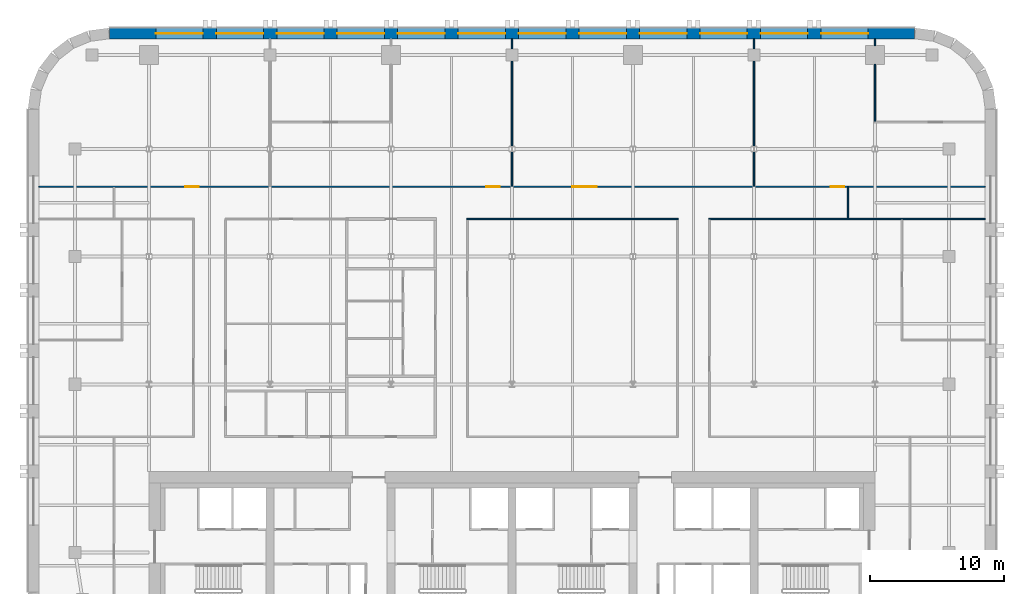
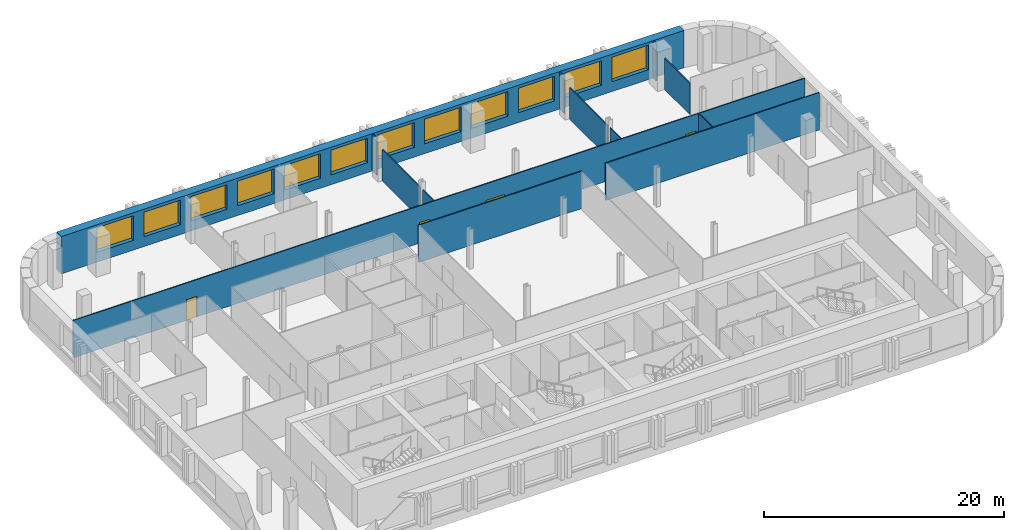
# One storey, part 7 of 10: 13 walls, 12 windows, 4 doors, 16 openings.
"""IFC4 building model written with IfcOpenShell, lengths in metres."""

import ifcopenshell
import ifcopenshell.guid

model = None  # the IFC model being written
_history = None  # IfcOwnerHistory: only IFC2X3 demands one
_inside = {}  # id of a spatial element -> (the spatial element, [elements in it])
_under = {}  # id of a project, library or spatial element -> (it, [spatial elements below it])
_declared = {}  # id of a project -> (the project, [libraries it declares])
_typed = {}  # id of a type object -> (the type object, [elements of that type])
_made_of = {}  # id of a material, layer set ... -> (it, [elements and type objects made of it])


def new_model(schema):
    """Start an empty IFC model of exactly this schema.

    Asked for "IFC4X3", IfcOpenShell would pick the latest addendum, in which some entities
    have other attributes; the version numbers below select the first issue.
    IFC2X3 requires an IfcOwnerHistory on every rooted entity: one is made here for all.
    """
    global model, _history
    if schema == "IFC4X3":
        model = ifcopenshell.file(schema_version=(4, 3, 0, 0))
    else:
        model = ifcopenshell.file(schema=schema)
    _inside.clear()
    _under.clear()
    _declared.clear()
    _typed.clear()
    _made_of.clear()
    _history = None
    if model.schema == "IFC2X3":
        org = make("IfcOrganization", Name="unknown")
        user = make(
            "IfcPersonAndOrganization",
            ThePerson=make("IfcPerson", FamilyName="unknown"),
            TheOrganization=org,
        )
        app = make(
            "IfcApplication",
            ApplicationDeveloper=org,
            Version="unknown",
            ApplicationFullName="unknown",
            ApplicationIdentifier="unknown",
        )
        _history = make(
            "IfcOwnerHistory",
            OwningUser=user,
            OwningApplication=app,
            ChangeAction="ADDED",
            CreationDate=0,
        )
    return model


def make(cls, **values):
    """One entity of the class cls with the attributes given. An attribute that is None is left unset."""
    return model.create_entity(
        cls, **{name: value for name, value in values.items() if value is not None}
    )


def rooted(cls, **values):
    """An entity with a GlobalId (a new one), such as an element, a storey or a relation."""
    return make(cls, GlobalId=ifcopenshell.guid.new(), OwnerHistory=_history, **values)


def si_unit(unit_type, name, prefix=None):
    """IfcSIUnit, for example si_unit("LENGTHUNIT", "METRE", prefix="MILLI")."""
    return make("IfcSIUnit", UnitType=unit_type, Prefix=prefix, Name=name)


def assignment(units):
    """IfcUnitAssignment: the units of a project."""
    return None if units is None else make("IfcUnitAssignment", Units=units)


def point(xyz):
    """IfcCartesianPoint."""
    return None if xyz is None else make("IfcCartesianPoint", Coordinates=xyz)


def direction(xyz):
    """IfcDirection."""
    return None if xyz is None else make("IfcDirection", DirectionRatios=xyz)


def frame(location, z_axis=None, x_axis=None):
    """IfcAxis2Placement3D, a coordinate frame: its origin and axes. An axis left out is left unset."""
    return make(
        "IfcAxis2Placement3D",
        Location=point(location),
        Axis=direction(z_axis),
        RefDirection=direction(x_axis),
    )


def frame_2d(location, x_axis=None):
    """IfcAxis2Placement2D, a coordinate frame in the plane: its origin and x axis."""
    return make(
        "IfcAxis2Placement2D", Location=point(location), RefDirection=direction(x_axis)
    )


def origin():
    """The frame at (0, 0, 0) with its axes left unset."""
    return frame((0.0, 0.0, 0.0))


def place(relative_to, where):
    """IfcLocalPlacement: puts the frame where relative to a parent placement (None: the world)."""
    return make(
        "IfcLocalPlacement", PlacementRelTo=relative_to, RelativePlacement=where
    )


def context(
    kind, dimensions, precision=None, world=None, true_north=None, identifier=None
):
    """IfcGeometricRepresentationContext, for example the 3D "Model" context."""
    return make(
        "IfcGeometricRepresentationContext",
        ContextIdentifier=identifier,
        ContextType=kind,
        CoordinateSpaceDimension=dimensions,
        Precision=precision,
        WorldCoordinateSystem=world,
        TrueNorth=true_north,
    )


def subcontext(parent, identifier, kind, view, scale=None):
    """IfcGeometricRepresentationSubContext, for example "Body" below "Model"."""
    return make(
        "IfcGeometricRepresentationSubContext",
        ContextIdentifier=identifier,
        ContextType=kind,
        ParentContext=parent,
        TargetScale=scale,
        TargetView=view,
    )


def project(units=None, contexts=None):
    """IfcProject with its units and contexts."""
    return rooted(
        "IfcProject",
        Name="project",
        RepresentationContexts=contexts,
        UnitsInContext=assignment(units),
    )


def spatial(cls, under=None, at=None, **own):
    """A site, building, storey or space (cls), placed at a placement, below another one or the project."""
    s = rooted(cls, ObjectPlacement=at, **own)
    if under is not None:
        _under.setdefault(under.id(), (under, []))[1].append(s)
    return s


def profile(cls, at=None, kind="AREA", **sizes):
    """A parametric profile (cls). Its sizes go by their IFC names, for example OverallWidth=200.0."""
    return make(cls, ProfileType=kind, Position=at, **sizes)


def rectangle(**sizes):
    """IfcRectangleProfileDef."""
    return profile("IfcRectangleProfileDef", **sizes)


def extrude(swept, where, along, depth):
    """IfcExtrudedAreaSolid: the profile swept, set in the frame where, extruded along a direction by depth."""
    return make(
        "IfcExtrudedAreaSolid",
        SweptArea=swept,
        Position=where,
        ExtrudedDirection=direction(along),
        Depth=depth,
    )


def shape(context_of_items, identifier, shape_type, items):
    """IfcShapeRepresentation: the items that make up one representation, for example the "Body"."""
    return make(
        "IfcShapeRepresentation",
        ContextOfItems=context_of_items,
        RepresentationIdentifier=identifier,
        RepresentationType=shape_type,
        Items=items,
    )


def material(Name=None, Category=None):
    """IfcMaterial."""
    return make("IfcMaterial", Name=Name, Category=Category)


def layer(
    of_material, thickness, ventilated=None, Name=None, Category=None, Priority=None
):
    """IfcMaterialLayer: one layer of a wall or slab, of a material (None: an air gap)."""
    return make(
        "IfcMaterialLayer",
        Material=of_material,
        LayerThickness=thickness,
        IsVentilated=ventilated,
        Name=Name,
        Category=Category,
        Priority=Priority,
    )


def layer_set(layers, Name=None):
    """IfcMaterialLayerSet."""
    return make("IfcMaterialLayerSet", MaterialLayers=layers, LayerSetName=Name)


def made_of(thing, what):
    """Note that an element or type object is made of a material, layer set ...; save() writes the relation."""
    if what is not None:
        _made_of.setdefault(what.id(), (what, []))[1].append(thing)
    return thing


def type_object(cls, material=None, **own):
    """A type object (cls), such as IfcWallType, which elements share."""
    return made_of(rooted(cls, **own), material)


def element(
    cls,
    number,
    at=None,
    inside=None,
    cuts=None,
    type_object=None,
    material=None,
    context=None,
    identifier="Body",
    shape_type=None,
    held_by="IfcProductDefinitionShape",
    body=None,
    shapes=None,
    **own,
):
    """One element of the class cls, such as IfcWall. Its Tag is "e" and its number.

    at: its placement. inside: the storey or other place that contains it. cuts: it is an
    opening in that element (IfcRelVoidsElement). A single representation is given by context,
    identifier, shape_type and body (its items); several are given by shapes. held_by: the class
    of the entity that holds the representations. save() writes the other relations.
    """
    e = rooted(cls, Tag="e%d" % number, ObjectPlacement=at, **own)
    if body is not None:
        shapes = [shape(context, identifier, shape_type, body)]
    if shapes is not None:
        e.Representation = make(held_by, Representations=shapes)
    if inside is not None:
        _inside.setdefault(inside.id(), (inside, []))[1].append(e)
    if cuts is not None:
        rooted(
            "IfcRelVoidsElement", RelatingBuildingElement=cuts, RelatedOpeningElement=e
        )
    if type_object is not None:
        _typed.setdefault(type_object.id(), (type_object, []))[1].append(e)
    return made_of(e, material)


def fill(opening, filler):
    """IfcRelFillsElement: the door or window that sits in an opening."""
    return rooted(
        "IfcRelFillsElement",
        RelatingOpeningElement=opening,
        RelatedBuildingElement=filler,
    )


def aggregate(whole, parts):
    """IfcRelAggregates: a whole, such as a stair, and the parts it consists of."""
    return rooted("IfcRelAggregates", RelatingObject=whole, RelatedObjects=parts)


def save(model, path):
    """Write the relations noted so far, then the file.

    IfcRelAggregates (storeys below a building ...), IfcRelContainedInSpatialStructure (elements
    in a storey), IfcRelDefinesByType, IfcRelAssociatesMaterial and IfcRelDeclares: one each for
    every whole, place, type object, material and project.
    """
    for whole, parts in _under.values():
        aggregate(whole, parts)
    for where, things in _inside.values():
        rooted(
            "IfcRelContainedInSpatialStructure",
            RelatedElements=things,
            RelatingStructure=where,
        )
    for kind, things in _typed.values():
        rooted("IfcRelDefinesByType", RelatedObjects=things, RelatingType=kind)
    for what, things in _made_of.values():
        rooted("IfcRelAssociatesMaterial", RelatedObjects=things, RelatingMaterial=what)
    for by, libraries in _declared.values():
        rooted("IfcRelDeclares", RelatingContext=by, RelatedDefinitions=libraries)
    model.write(path)


model = new_model("IFC4")

# Units and contexts
model_context = context("Model", 3, precision=1e-05, world=origin(), true_north=direction((0.0, 1.0)))
body_context = subcontext(model_context, "Body", "Model", "MODEL_VIEW")
ifc_project = project(units=[si_unit("LENGTHUNIT", "METRE"), si_unit("AREAUNIT", "SQUARE_METRE"), si_unit("VOLUMEUNIT", "CUBIC_METRE"), si_unit("PLANEANGLEUNIT", "RADIAN"), si_unit("MASSUNIT", "GRAM", prefix="KILO")], contexts=[model_context])

# Site, building, storey
site_placement = place(None, origin())
site = spatial("IfcSite", under=ifc_project, at=site_placement, CompositionType="ELEMENT")
building_placement = place(site_placement, origin())
building = spatial("IfcBuilding", under=site, at=building_placement, Name="Zellij Exchange Tower", CompositionType="ELEMENT")
storey_placement = place(building_placement, frame((0.0, 0.0, 168.5)))
storey = spatial("IfcBuildingStorey", under=building, at=storey_placement, Name="L38", CompositionType="ELEMENT", Elevation=168.5)

# Wall, openings, windows
ifc_material_1 = material(Name="Precast concrete C40/50", Category="concrete")
ifc_layer_1 = layer(ifc_material_1, 0.800048828125)
ifc_layer_set_1 = layer_set([ifc_layer_1], Name="Precast concrete C40/50")
wall_type_1 = type_object("IfcWallType", Name="ENV-EW1 Precast stone-piered wall 800", PredefinedType="SOLIDWALL", material=ifc_layer_set_1)
wall_1_placement = place(storey_placement, frame((29.947509765625, 30.60009765625, 0.0), z_axis=(0.0, 0.0, 1.0), x_axis=(-1.0, 0.0, 0.0)))
wall_1 = element("IfcWall", 1, at=wall_1_placement, inside=storey, type_object=wall_type_1, Name="fac.L38.14", PredefinedType="SOLIDWALL", context=body_context, shape_type="SweptSolid", body=[
    extrude(rectangle(XDim=59.89501953125, YDim=0.800048828125, at=frame_2d((29.947509765625, 0.0))), origin(), (0.0, 0.0, 1.0), 3.800048828125),
])
opening_1_placement = place(wall_1_placement, frame((3.447509765625, 0.0, 1.0)))
opening_1 = element("IfcOpeningElement", 2, at=opening_1_placement, cuts=wall_1, Name="Opening FZ3.19", PredefinedType="OPENING", context=body_context, shape_type="SweptSolid", body=[
    extrude(rectangle(XDim=3.5, YDim=2.5, at=frame_2d((1.75, 1.25))), frame((0.0, 0.412109375, 0.0), z_axis=(0.0, -1.0, 0.0), x_axis=(1.0, 0.0, 0.0)), (0.0, 0.0, 1.0), 0.823974609375),
])
opening_2_placement = place(wall_1_placement, frame((7.947509765625, 0.0, 1.0)))
opening_2 = element("IfcOpeningElement", 3, at=opening_2_placement, cuts=wall_1, Name="Opening FZ3.20", PredefinedType="OPENING", context=body_context, shape_type="SweptSolid", body=[
    extrude(rectangle(XDim=3.5, YDim=2.5, at=frame_2d((1.75, 1.25))), frame((0.0, 0.412109375, 0.0), z_axis=(0.0, -1.0, 0.0), x_axis=(1.0, 0.0, 0.0)), (0.0, 0.0, 1.0), 0.823974609375),
])
opening_3_placement = place(wall_1_placement, frame((12.447509765625, 0.0, 1.0)))
opening_3 = element("IfcOpeningElement", 4, at=opening_3_placement, cuts=wall_1, Name="Opening FZ3.21", PredefinedType="OPENING", context=body_context, shape_type="SweptSolid", body=[
    extrude(rectangle(XDim=3.5, YDim=2.5, at=frame_2d((1.75, 1.25))), frame((0.0, 0.412109375, 0.0), z_axis=(0.0, -1.0, 0.0), x_axis=(1.0, 0.0, 0.0)), (0.0, 0.0, 1.0), 0.823974609375),
])
opening_4_placement = place(wall_1_placement, frame((16.947509765625, 0.0, 1.0)))
opening_4 = element("IfcOpeningElement", 5, at=opening_4_placement, cuts=wall_1, Name="Opening FZ3.22", PredefinedType="OPENING", context=body_context, shape_type="SweptSolid", body=[
    extrude(rectangle(XDim=3.5, YDim=2.5, at=frame_2d((1.75, 1.25))), frame((0.0, 0.412109375, 0.0), z_axis=(0.0, -1.0, 0.0), x_axis=(1.0, 0.0, 0.0)), (0.0, 0.0, 1.0), 0.823974609375),
])
opening_5_placement = place(wall_1_placement, frame((21.447509765625, 0.0, 1.0)))
opening_5 = element("IfcOpeningElement", 6, at=opening_5_placement, cuts=wall_1, Name="Opening FZ3.23", PredefinedType="OPENING", context=body_context, shape_type="SweptSolid", body=[
    extrude(rectangle(XDim=3.5, YDim=2.5, at=frame_2d((1.75, 1.25))), frame((0.0, 0.412109375, 0.0), z_axis=(0.0, -1.0, 0.0), x_axis=(1.0, 0.0, 0.0)), (0.0, 0.0, 1.0), 0.823974609375),
])
opening_6_placement = place(wall_1_placement, frame((25.947509765625, 0.0, 1.0)))
opening_6 = element("IfcOpeningElement", 7, at=opening_6_placement, cuts=wall_1, Name="Opening FZ3.24", PredefinedType="OPENING", context=body_context, shape_type="SweptSolid", body=[
    extrude(rectangle(XDim=3.5, YDim=2.5, at=frame_2d((1.75, 1.25))), frame((0.0, 0.412109375, 0.0), z_axis=(0.0, -1.0, 0.0), x_axis=(1.0, 0.0, 0.0)), (0.0, 0.0, 1.0), 0.823974609375),
])
opening_7_placement = place(wall_1_placement, frame((30.447509765625, 0.0, 1.0)))
opening_7 = element("IfcOpeningElement", 8, at=opening_7_placement, cuts=wall_1, Name="Opening FZ3.25", PredefinedType="OPENING", context=body_context, shape_type="SweptSolid", body=[
    extrude(rectangle(XDim=3.5, YDim=2.5, at=frame_2d((1.75, 1.25))), frame((0.0, 0.412109375, 0.0), z_axis=(0.0, -1.0, 0.0), x_axis=(1.0, 0.0, 0.0)), (0.0, 0.0, 1.0), 0.823974609375),
])
opening_8_placement = place(wall_1_placement, frame((34.947509765625, 0.0, 1.0)))
opening_8 = element("IfcOpeningElement", 9, at=opening_8_placement, cuts=wall_1, Name="Opening FZ3.26", PredefinedType="OPENING", context=body_context, shape_type="SweptSolid", body=[
    extrude(rectangle(XDim=3.5, YDim=2.5, at=frame_2d((1.75, 1.25))), frame((0.0, 0.412109375, 0.0), z_axis=(0.0, -1.0, 0.0), x_axis=(1.0, 0.0, 0.0)), (0.0, 0.0, 1.0), 0.823974609375),
])
opening_9_placement = place(wall_1_placement, frame((39.447509765625, 0.0, 1.0)))
opening_9 = element("IfcOpeningElement", 10, at=opening_9_placement, cuts=wall_1, Name="Opening FZ3.27", PredefinedType="OPENING", context=body_context, shape_type="SweptSolid", body=[
    extrude(rectangle(XDim=3.5, YDim=2.5, at=frame_2d((1.75, 1.25))), frame((0.0, 0.412109375, 0.0), z_axis=(0.0, -1.0, 0.0), x_axis=(1.0, 0.0, 0.0)), (0.0, 0.0, 1.0), 0.823974609375),
])
opening_10_placement = place(wall_1_placement, frame((43.947509765625, 0.0, 1.0)))
opening_10 = element("IfcOpeningElement", 11, at=opening_10_placement, cuts=wall_1, Name="Opening FZ3.28", PredefinedType="OPENING", context=body_context, shape_type="SweptSolid", body=[
    extrude(rectangle(XDim=3.5, YDim=2.5, at=frame_2d((1.75, 1.25))), frame((0.0, 0.412109375, 0.0), z_axis=(0.0, -1.0, 0.0), x_axis=(1.0, 0.0, 0.0)), (0.0, 0.0, 1.0), 0.823974609375),
])
opening_11_placement = place(wall_1_placement, frame((48.447509765625, 0.0, 1.0)))
opening_11 = element("IfcOpeningElement", 12, at=opening_11_placement, cuts=wall_1, Name="Opening FZ3.29", PredefinedType="OPENING", context=body_context, shape_type="SweptSolid", body=[
    extrude(rectangle(XDim=3.5, YDim=2.5, at=frame_2d((1.75, 1.25))), frame((0.0, 0.412109375, 0.0), z_axis=(0.0, -1.0, 0.0), x_axis=(1.0, 0.0, 0.0)), (0.0, 0.0, 1.0), 0.823974609375),
])
opening_12_placement = place(wall_1_placement, frame((52.947509765625, 0.0, 1.0)))
opening_12 = element("IfcOpeningElement", 13, at=opening_12_placement, cuts=wall_1, Name="Opening FZ3.30", PredefinedType="OPENING", context=body_context, shape_type="SweptSolid", body=[
    extrude(rectangle(XDim=3.5, YDim=2.5, at=frame_2d((1.75, 1.25))), frame((0.0, 0.412109375, 0.0), z_axis=(0.0, -1.0, 0.0), x_axis=(1.0, 0.0, 0.0)), (0.0, 0.0, 1.0), 0.823974609375),
])
ifc_material_2 = material(Name="Aluminium frame with insulating glass", Category="aluminium")
window_type = type_object("IfcWindowType", Name="ENV-W1 Window 3500x2500", PartitioningType="SINGLE_PANEL", PredefinedType="WINDOW", material=ifc_material_2)
window_1_placement = place(opening_1_placement, origin())
window_1 = element("IfcWindow", 14, at=window_1_placement, inside=storey, type_object=window_type, Name="Window FZ3.19", OverallHeight=2.5, OverallWidth=3.5, PartitioningType="SINGLE_PANEL", PredefinedType="WINDOW", context=body_context, shape_type="SweptSolid", body=[
    extrude(rectangle(XDim=3.5, YDim=2.5, at=frame_2d((1.75, 1.25))), frame((0.0, 0.030029296875, 0.0), z_axis=(0.0, -1.0, 0.0), x_axis=(1.0, 0.0, 0.0)), (0.0, 0.0, 1.0), 0.06005859375),
])
fill(opening_1, window_1)
window_2_placement = place(opening_2_placement, origin())
window_2 = element("IfcWindow", 15, at=window_2_placement, inside=storey, type_object=window_type, Name="Window FZ3.20", OverallHeight=2.5, OverallWidth=3.5, PartitioningType="SINGLE_PANEL", PredefinedType="WINDOW", context=body_context, shape_type="SweptSolid", body=[
    extrude(rectangle(XDim=3.5, YDim=2.5, at=frame_2d((1.75, 1.25))), frame((0.0, 0.030029296875, 0.0), z_axis=(0.0, -1.0, 0.0), x_axis=(1.0, 0.0, 0.0)), (0.0, 0.0, 1.0), 0.06005859375),
])
fill(opening_2, window_2)
window_3_placement = place(opening_3_placement, origin())
window_3 = element("IfcWindow", 16, at=window_3_placement, inside=storey, type_object=window_type, Name="Window FZ3.21", OverallHeight=2.5, OverallWidth=3.5, PartitioningType="SINGLE_PANEL", PredefinedType="WINDOW", context=body_context, shape_type="SweptSolid", body=[
    extrude(rectangle(XDim=3.5, YDim=2.5, at=frame_2d((1.75, 1.25))), frame((0.0, 0.030029296875, 0.0), z_axis=(0.0, -1.0, 0.0), x_axis=(1.0, 0.0, 0.0)), (0.0, 0.0, 1.0), 0.06005859375),
])
fill(opening_3, window_3)
window_4_placement = place(opening_4_placement, origin())
window_4 = element("IfcWindow", 17, at=window_4_placement, inside=storey, type_object=window_type, Name="Window FZ3.22", OverallHeight=2.5, OverallWidth=3.5, PartitioningType="SINGLE_PANEL", PredefinedType="WINDOW", context=body_context, shape_type="SweptSolid", body=[
    extrude(rectangle(XDim=3.5, YDim=2.5, at=frame_2d((1.75, 1.25))), frame((0.0, 0.030029296875, 0.0), z_axis=(0.0, -1.0, 0.0), x_axis=(1.0, 0.0, 0.0)), (0.0, 0.0, 1.0), 0.06005859375),
])
fill(opening_4, window_4)
window_5_placement = place(opening_5_placement, origin())
window_5 = element("IfcWindow", 18, at=window_5_placement, inside=storey, type_object=window_type, Name="Window FZ3.23", OverallHeight=2.5, OverallWidth=3.5, PartitioningType="SINGLE_PANEL", PredefinedType="WINDOW", context=body_context, shape_type="SweptSolid", body=[
    extrude(rectangle(XDim=3.5, YDim=2.5, at=frame_2d((1.75, 1.25))), frame((0.0, 0.030029296875, 0.0), z_axis=(0.0, -1.0, 0.0), x_axis=(1.0, 0.0, 0.0)), (0.0, 0.0, 1.0), 0.06005859375),
])
fill(opening_5, window_5)
window_6_placement = place(opening_6_placement, origin())
window_6 = element("IfcWindow", 19, at=window_6_placement, inside=storey, type_object=window_type, Name="Window FZ3.24", OverallHeight=2.5, OverallWidth=3.5, PartitioningType="SINGLE_PANEL", PredefinedType="WINDOW", context=body_context, shape_type="SweptSolid", body=[
    extrude(rectangle(XDim=3.5, YDim=2.5, at=frame_2d((1.75, 1.25))), frame((0.0, 0.030029296875, 0.0), z_axis=(0.0, -1.0, 0.0), x_axis=(1.0, 0.0, 0.0)), (0.0, 0.0, 1.0), 0.06005859375),
])
fill(opening_6, window_6)
window_7_placement = place(opening_7_placement, origin())
window_7 = element("IfcWindow", 20, at=window_7_placement, inside=storey, type_object=window_type, Name="Window FZ3.25", OverallHeight=2.5, OverallWidth=3.5, PartitioningType="SINGLE_PANEL", PredefinedType="WINDOW", context=body_context, shape_type="SweptSolid", body=[
    extrude(rectangle(XDim=3.5, YDim=2.5, at=frame_2d((1.75, 1.25))), frame((0.0, 0.030029296875, 0.0), z_axis=(0.0, -1.0, 0.0), x_axis=(1.0, 0.0, 0.0)), (0.0, 0.0, 1.0), 0.06005859375),
])
fill(opening_7, window_7)
window_8_placement = place(opening_8_placement, origin())
window_8 = element("IfcWindow", 21, at=window_8_placement, inside=storey, type_object=window_type, Name="Window FZ3.26", OverallHeight=2.5, OverallWidth=3.5, PartitioningType="SINGLE_PANEL", PredefinedType="WINDOW", context=body_context, shape_type="SweptSolid", body=[
    extrude(rectangle(XDim=3.5, YDim=2.5, at=frame_2d((1.75, 1.25))), frame((0.0, 0.030029296875, 0.0), z_axis=(0.0, -1.0, 0.0), x_axis=(1.0, 0.0, 0.0)), (0.0, 0.0, 1.0), 0.06005859375),
])
fill(opening_8, window_8)
window_9_placement = place(opening_9_placement, origin())
window_9 = element("IfcWindow", 22, at=window_9_placement, inside=storey, type_object=window_type, Name="Window FZ3.27", OverallHeight=2.5, OverallWidth=3.5, PartitioningType="SINGLE_PANEL", PredefinedType="WINDOW", context=body_context, shape_type="SweptSolid", body=[
    extrude(rectangle(XDim=3.5, YDim=2.5, at=frame_2d((1.75, 1.25))), frame((0.0, 0.030029296875, 0.0), z_axis=(0.0, -1.0, 0.0), x_axis=(1.0, 0.0, 0.0)), (0.0, 0.0, 1.0), 0.06005859375),
])
fill(opening_9, window_9)
window_10_placement = place(opening_10_placement, origin())
window_10 = element("IfcWindow", 23, at=window_10_placement, inside=storey, type_object=window_type, Name="Window FZ3.28", OverallHeight=2.5, OverallWidth=3.5, PartitioningType="SINGLE_PANEL", PredefinedType="WINDOW", context=body_context, shape_type="SweptSolid", body=[
    extrude(rectangle(XDim=3.5, YDim=2.5, at=frame_2d((1.75, 1.25))), frame((0.0, 0.030029296875, 0.0), z_axis=(0.0, -1.0, 0.0), x_axis=(1.0, 0.0, 0.0)), (0.0, 0.0, 1.0), 0.06005859375),
])
fill(opening_10, window_10)
window_11_placement = place(opening_11_placement, origin())
window_11 = element("IfcWindow", 24, at=window_11_placement, inside=storey, type_object=window_type, Name="Window FZ3.29", OverallHeight=2.5, OverallWidth=3.5, PartitioningType="SINGLE_PANEL", PredefinedType="WINDOW", context=body_context, shape_type="SweptSolid", body=[
    extrude(rectangle(XDim=3.5, YDim=2.5, at=frame_2d((1.75, 1.25))), frame((0.0, 0.030029296875, 0.0), z_axis=(0.0, -1.0, 0.0), x_axis=(1.0, 0.0, 0.0)), (0.0, 0.0, 1.0), 0.06005859375),
])
fill(opening_11, window_11)
window_12_placement = place(opening_12_placement, origin())
window_12 = element("IfcWindow", 25, at=window_12_placement, inside=storey, type_object=window_type, Name="Window FZ3.30", OverallHeight=2.5, OverallWidth=3.5, PartitioningType="SINGLE_PANEL", PredefinedType="WINDOW", context=body_context, shape_type="SweptSolid", body=[
    extrude(rectangle(XDim=3.5, YDim=2.5, at=frame_2d((1.75, 1.25))), frame((0.0, 0.030029296875, 0.0), z_axis=(0.0, -1.0, 0.0), x_axis=(1.0, 0.0, 0.0)), (0.0, 0.0, 1.0), 0.06005859375),
])
fill(opening_12, window_12)

# Walls
ifc_material_3 = material(Name="Gypsum board partition on steel studs", Category="steel")
ifc_layer_2 = layer(ifc_material_3, 0.10009765625)
ifc_layer_set_2 = layer_set([ifc_layer_2], Name="Gypsum board partition on steel studs")
wall_type_2 = type_object("IfcWallType", Name="FIT-PARTITION-100", PredefinedType="PARTITIONING", material=ifc_layer_set_2)
wall_2_placement = place(storey_placement, frame((-3.35009765625, 16.800048828125, 0.0), z_axis=(0.0, 0.0, 1.0), x_axis=(1.0, 0.0, 0.0)))
element("IfcWall", 26, at=wall_2_placement, inside=storey, type_object=wall_type_2, Name="FIT-PARTITION-100 038", PredefinedType="PARTITIONING", context=body_context, shape_type="SweptSolid", body=[
    extrude(rectangle(XDim=15.7001953125, YDim=0.10009765625, at=frame_2d((7.85009765625, 0.0))), origin(), (0.0, 0.0, 1.0), 3.800048828125),
])
wall_3_placement = place(storey_placement, frame((14.64990234375, 16.800048828125, 0.0), z_axis=(0.0, 0.0, 1.0), x_axis=(1.0, 0.0, 0.0)))
element("IfcWall", 27, at=wall_3_placement, inside=storey, type_object=wall_type_2, Name="FIT-PARTITION-100 039", PredefinedType="PARTITIONING", context=body_context, shape_type="SweptSolid", body=[
    extrude(rectangle(XDim=20.550048828125, YDim=0.10009765625, at=frame_2d((10.27490234375, 0.0))), origin(), (0.0, 0.0, 1.0), 3.800048828125),
])
wall_4_placement = place(storey_placement, frame((25.0, 16.85009765625, 0.0), z_axis=(0.0, 0.0, 1.0), x_axis=(0.0, 1.0, 0.0)))
element("IfcWall", 28, at=wall_4_placement, inside=storey, type_object=wall_type_2, Name="FIT-PARTITION-100 040", PredefinedType="PARTITIONING", context=body_context, shape_type="SweptSolid", body=[
    extrude(rectangle(XDim=2.2998046875, YDim=0.10009765625, at=frame_2d((1.14990234375, 0.0))), origin(), (0.0, 0.0, 1.0), 3.800048828125),
])

# Wall, openings, doors
wall_5_placement = place(storey_placement, frame((-35.199951171875, 19.199951171875, 0.0), z_axis=(0.0, 0.0, 1.0), x_axis=(1.0, 0.0, 0.0)))
wall_5 = element("IfcWall", 29, at=wall_5_placement, inside=storey, type_object=wall_type_2, Name="FIT-PARTITION-100 041", PredefinedType="PARTITIONING", context=body_context, shape_type="SweptSolid", body=[
    extrude(rectangle(XDim=70.39990234375, YDim=0.10009765625, at=frame_2d((35.199951171875, 0.0))), origin(), (0.0, 0.0, 1.0), 3.800048828125),
])
opening_13_placement = place(wall_5_placement, frame((10.89990234375, 0.0, 0.0)))
opening_13 = element("IfcOpeningElement", 30, at=opening_13_placement, cuts=wall_5, Name="Opening O3A.19", PredefinedType="OPENING", context=body_context, shape_type="SweptSolid", body=[
    extrude(rectangle(XDim=1.0, YDim=2.10009765625, at=frame_2d((0.5, 1.050048828125))), frame((0.0, 0.06201171875, 0.0), z_axis=(0.0, -1.0, 0.0), x_axis=(1.0, 0.0, 0.0)), (0.0, 0.0, 1.0), 0.1240234375),
])
opening_14_placement = place(wall_5_placement, frame((33.300048828125, 0.0, 0.0)))
opening_14 = element("IfcOpeningElement", 31, at=opening_14_placement, cuts=wall_5, Name="Opening O3A.20", PredefinedType="OPENING", context=body_context, shape_type="SweptSolid", body=[
    extrude(rectangle(XDim=1.0, YDim=2.10009765625, at=frame_2d((0.5, 1.050048828125))), frame((0.0, 0.06201171875, 0.0), z_axis=(0.0, -1.0, 0.0), x_axis=(1.0, 0.0, 0.0)), (0.0, 0.0, 1.0), 0.1240234375),
])
opening_15_placement = place(wall_5_placement, frame((39.699951171875, 0.0, 0.0)))
opening_15 = element("IfcOpeningElement", 32, at=opening_15_placement, cuts=wall_5, Name="Opening O3A.21", PredefinedType="OPENING", context=body_context, shape_type="SweptSolid", body=[
    extrude(rectangle(XDim=1.800048828125, YDim=2.10009765625, at=frame_2d((0.89990234375, 1.050048828125))), frame((0.0, 0.06201171875, 0.0), z_axis=(0.0, -1.0, 0.0), x_axis=(1.0, 0.0, 0.0)), (0.0, 0.0, 1.0), 0.1240234375),
])
opening_16_placement = place(wall_5_placement, frame((58.89990234375, 0.0, 0.0)))
opening_16 = element("IfcOpeningElement", 33, at=opening_16_placement, cuts=wall_5, Name="Opening O3A.22", PredefinedType="OPENING", context=body_context, shape_type="SweptSolid", body=[
    extrude(rectangle(XDim=1.0, YDim=2.10009765625, at=frame_2d((0.5, 1.050048828125))), frame((0.0, 0.06201171875, 0.0), z_axis=(0.0, -1.0, 0.0), x_axis=(1.0, 0.0, 0.0)), (0.0, 0.0, 1.0), 0.1240234375),
])
ifc_material_4 = material(Name="Timber door set", Category="wood")
door_type_1 = type_object("IfcDoorType", Name="FIT-D2-WIDE-1000X2100", OperationType="SINGLE_SWING_LEFT", PredefinedType="DOOR", material=ifc_material_4)
door_1_placement = place(opening_13_placement, origin())
door_1 = element("IfcDoor", 34, at=door_1_placement, inside=storey, type_object=door_type_1, Name="Door O3A.19", OperationType="SINGLE_SWING_RIGHT", OverallHeight=2.10009765625, OverallWidth=1.0, PredefinedType="DOOR", context=body_context, shape_type="SweptSolid", body=[
    extrude(rectangle(XDim=1.0, YDim=2.10009765625, at=frame_2d((0.5, 1.050048828125))), frame((0.0, 0.02490234375, 0.0), z_axis=(0.0, -1.0, 0.0), x_axis=(1.0, 0.0, 0.0)), (0.0, 0.0, 1.0), 0.050048828125),
])
fill(opening_13, door_1)
door_2_placement = place(opening_14_placement, origin())
door_2 = element("IfcDoor", 35, at=door_2_placement, inside=storey, type_object=door_type_1, Name="Door O3A.20", OperationType="SINGLE_SWING_LEFT", OverallHeight=2.10009765625, OverallWidth=1.0, PredefinedType="DOOR", context=body_context, shape_type="SweptSolid", body=[
    extrude(rectangle(XDim=1.0, YDim=2.10009765625, at=frame_2d((0.5, 1.050048828125))), frame((0.0, 0.02490234375, 0.0), z_axis=(0.0, -1.0, 0.0), x_axis=(1.0, 0.0, 0.0)), (0.0, 0.0, 1.0), 0.050048828125),
])
fill(opening_14, door_2)
door_3_placement = place(opening_16_placement, origin())
door_3 = element("IfcDoor", 36, at=door_3_placement, inside=storey, type_object=door_type_1, Name="Door O3A.22", OperationType="SINGLE_SWING_LEFT", OverallHeight=2.10009765625, OverallWidth=1.0, PredefinedType="DOOR", context=body_context, shape_type="SweptSolid", body=[
    extrude(rectangle(XDim=1.0, YDim=2.10009765625, at=frame_2d((0.5, 1.050048828125))), frame((0.0, 0.02490234375, 0.0), z_axis=(0.0, -1.0, 0.0), x_axis=(1.0, 0.0, 0.0)), (0.0, 0.0, 1.0), 0.050048828125),
])
fill(opening_16, door_3)
door_type_2 = type_object("IfcDoorType", Name="FIT-D3-DOUBLE-1800X2100", OperationType="DOUBLE_DOOR_SINGLE_SWING", PredefinedType="DOOR", material=ifc_material_4)
door_4_placement = place(opening_15_placement, origin())
door_4 = element("IfcDoor", 37, at=door_4_placement, inside=storey, type_object=door_type_2, Name="Door O3A.21", OperationType="DOUBLE_DOOR_SINGLE_SWING", OverallHeight=2.10009765625, OverallWidth=1.800048828125, PredefinedType="DOOR", context=body_context, shape_type="SweptSolid", body=[
    extrude(rectangle(XDim=1.800048828125, YDim=2.10009765625, at=frame_2d((0.89990234375, 1.050048828125))), frame((0.0, 0.02490234375, 0.0), z_axis=(0.0, -1.0, 0.0), x_axis=(1.0, 0.0, 0.0)), (0.0, 0.0, 1.0), 0.050048828125),
])
fill(opening_15, door_4)

# Walls
wall_6_placement = place(storey_placement, frame((0.0, 19.25, 0.0), z_axis=(0.0, 0.0, 1.0), x_axis=(0.0, 1.0, 0.0)))
element("IfcWall", 38, at=wall_6_placement, inside=storey, type_object=wall_type_2, Name="FIT-PARTITION-100 045", PredefinedType="PARTITIONING", context=body_context, shape_type="SweptSolid", body=[
    extrude(rectangle(XDim=2.537841796875, YDim=0.10009765625, at=frame_2d((1.26904296875, 0.0))), origin(), (0.0, 0.0, 1.0), 3.19287109375),
])
wall_7_placement = place(storey_placement, frame((0.0, 22.212158203125, 0.0), z_axis=(0.0, 0.0, 1.0), x_axis=(0.0, 1.0, 0.0)))
element("IfcWall", 39, at=wall_7_placement, inside=storey, type_object=wall_type_2, Name="FIT-PARTITION-100 046", PredefinedType="PARTITIONING", context=body_context, shape_type="SweptSolid", body=[
    extrude(rectangle(XDim=6.337890625, YDim=0.10009765625, at=frame_2d((3.1689453125, 0.0))), origin(), (0.0, 0.0, 1.0), 3.19287109375),
])
wall_8_placement = place(storey_placement, frame((0.0, 29.449951171875, 0.0), z_axis=(0.0, 0.0, 1.0), x_axis=(0.0, 1.0, 0.0)))
element("IfcWall", 40, at=wall_8_placement, inside=storey, type_object=wall_type_2, Name="FIT-PARTITION-100 047", PredefinedType="PARTITIONING", context=body_context, shape_type="SweptSolid", body=[
    extrude(rectangle(XDim=0.75, YDim=0.10009765625, at=frame_2d((0.375, 0.0))), origin(), (0.0, 0.0, 1.0), 3.800048828125),
])
wall_9_placement = place(storey_placement, frame((18.0, 19.25, 0.0), z_axis=(0.0, 0.0, 1.0), x_axis=(0.0, 1.0, 0.0)))
element("IfcWall", 41, at=wall_9_placement, inside=storey, type_object=wall_type_2, Name="FIT-PARTITION-100 048", PredefinedType="PARTITIONING", context=body_context, shape_type="SweptSolid", body=[
    extrude(rectangle(XDim=2.537841796875, YDim=0.10009765625, at=frame_2d((1.26904296875, 0.0))), origin(), (0.0, 0.0, 1.0), 3.19287109375),
])
wall_10_placement = place(storey_placement, frame((18.0, 22.212158203125, 0.0), z_axis=(0.0, 0.0, 1.0), x_axis=(0.0, 1.0, 0.0)))
element("IfcWall", 42, at=wall_10_placement, inside=storey, type_object=wall_type_2, Name="FIT-PARTITION-100 049", PredefinedType="PARTITIONING", context=body_context, shape_type="SweptSolid", body=[
    extrude(rectangle(XDim=6.337890625, YDim=0.10009765625, at=frame_2d((3.1689453125, 0.0))), origin(), (0.0, 0.0, 1.0), 3.19287109375),
])
wall_11_placement = place(storey_placement, frame((18.0, 29.449951171875, 0.0), z_axis=(0.0, 0.0, 1.0), x_axis=(0.0, 1.0, 0.0)))
element("IfcWall", 43, at=wall_11_placement, inside=storey, type_object=wall_type_2, Name="FIT-PARTITION-100 050", PredefinedType="PARTITIONING", context=body_context, shape_type="SweptSolid", body=[
    extrude(rectangle(XDim=0.75, YDim=0.10009765625, at=frame_2d((0.375, 0.0))), origin(), (0.0, 0.0, 1.0), 3.800048828125),
])
wall_12_placement = place(storey_placement, frame((27.0, 24.050048828125, 0.0), z_axis=(0.0, 0.0, 1.0), x_axis=(0.0, 1.0, 0.0)))
element("IfcWall", 44, at=wall_12_placement, inside=storey, type_object=wall_type_2, Name="FIT-PARTITION-100 055", PredefinedType="PARTITIONING", context=body_context, shape_type="SweptSolid", body=[
    extrude(rectangle(XDim=4.25, YDim=0.10009765625, at=frame_2d((2.125, 0.0))), origin(), (0.0, 0.0, 1.0), 3.19287109375),
])
wall_13_placement = place(storey_placement, frame((27.0, 29.699951171875, 0.0), z_axis=(0.0, 0.0, 1.0), x_axis=(0.0, 1.0, 0.0)))
element("IfcWall", 45, at=wall_13_placement, inside=storey, type_object=wall_type_2, Name="FIT-PARTITION-100 056", PredefinedType="PARTITIONING", context=body_context, shape_type="SweptSolid", body=[
    extrude(rectangle(XDim=0.5, YDim=0.10009765625, at=frame_2d((0.25, 0.0))), origin(), (0.0, 0.0, 1.0), 3.800048828125),
])

save(model, "model.ifc")
